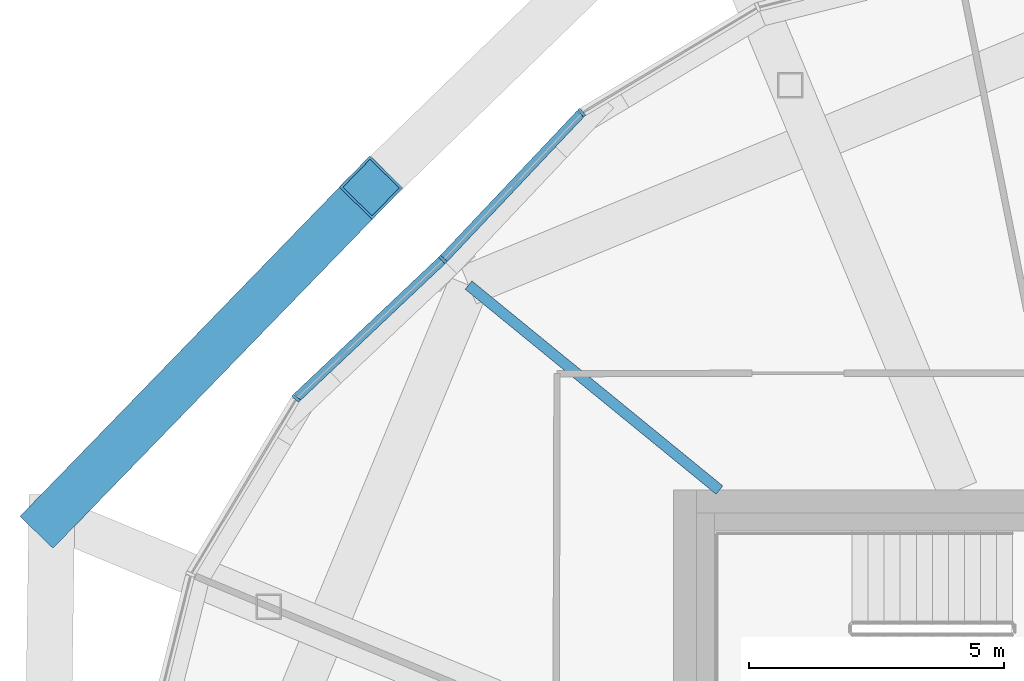
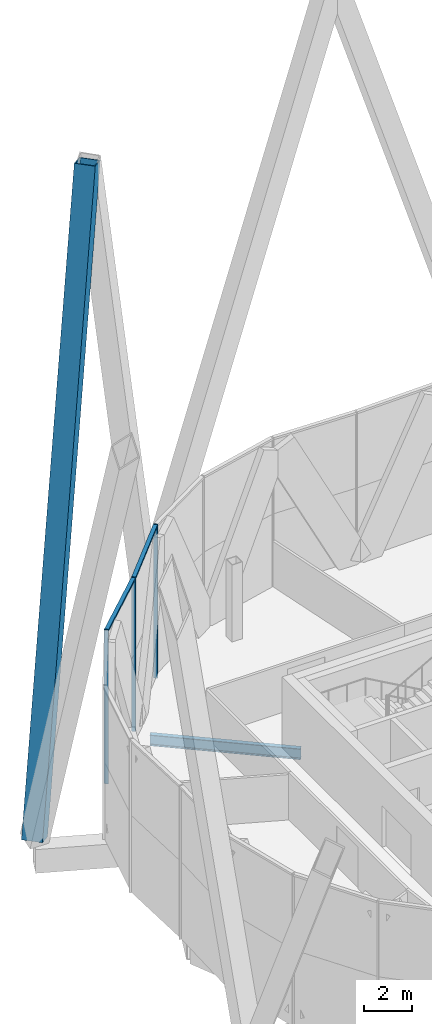
# One storey, part 17 of 53: 6 members, 1 beam, 2 elements without a shape of their own.
"""IFC4 building model written with IfcOpenShell, lengths in metres."""

from ifc_helpers import new_model, si_unit, direction, frame, origin, origin_2d, place, context, subcontext, project, spatial, rectangle, hollow_rectangle, i_section, extrude, material, material_profile, profile_set, type_object, element, aggregate, save


model = new_model("IFC4")

# Units and contexts
model_context = context("Model", 3, precision=1e-05, world=origin(), true_north=direction((0.0, 1.0)))
body_context = subcontext(model_context, "Body", "Model", "MODEL_VIEW")
ifc_project = project(units=[si_unit("LENGTHUNIT", "METRE"), si_unit("AREAUNIT", "SQUARE_METRE"), si_unit("VOLUMEUNIT", "CUBIC_METRE"), si_unit("PLANEANGLEUNIT", "RADIAN"), si_unit("MASSUNIT", "GRAM", prefix="KILO")], contexts=[model_context])

# Site, building, storey
site_placement = place(None, origin())
site = spatial("IfcSite", under=ifc_project, at=site_placement, CompositionType="ELEMENT")
building_placement = place(site_placement, origin())
building = spatial("IfcBuilding", under=site, at=building_placement, Name="Ogive Gate Towers", CompositionType="ELEMENT")
storey_placement = place(building_placement, frame((0.0, 0.0, 240.60009765625)))
storey = spatial("IfcBuildingStorey", under=building, at=storey_placement, Name="L57", CompositionType="ELEMENT", Elevation=240.60009765625)

# Member
ifc_material_1 = material(Name="Steel SM460", Category="steel")
ifc_material_profile_1 = material_profile(ifc_material_1, hollow_rectangle(XDim=0.89990234375, YDim=0.89990234375, WallThickness=0.050048828125, at=origin_2d()), Name="BX 900x900x50")
ifc_profile_set_1 = profile_set([ifc_material_profile_1], Name="Steel SM460")
member_type_1 = type_object("IfcMemberType", Name="Diagrid diagonal BX 900x900x50", PredefinedType="BRACE", material=ifc_profile_set_1)
member_1_placement = place(storey_placement, frame((-57.67431640625, 8.977783203125, 0.0), z_axis=(0.211259451685, 0.217751746913, 0.952866003586), x_axis=(-0.717725362087, 0.696326291775, 0.0)))
element("IfcMember", 1, at=member_1_placement, inside=storey, type_object=member_type_1, Name="T1/L57/SDG007", PredefinedType="BRACE", context=body_context, shape_type="SweptSolid", body=[
    extrude(hollow_rectangle(XDim=0.89990234375, YDim=0.89990234375, WallThickness=0.050048828125, at=origin_2d()), origin(), (0.0, 0.0, 1.0), 29.594970703125),
])

# Beam
ifc_material_2 = material(Name="Steel SM355", Category="steel")
ifc_material_profile_2 = material_profile(ifc_material_2, i_section(OverallWidth=0.2099609375, OverallDepth=0.550048828125, WebThickness=0.010986328125, FlangeThickness=0.01708984375, FilletRadius=0.02392578125, at=origin_2d()), Name="IPE 550")
ifc_profile_set_2 = profile_set([ifc_material_profile_2], Name="Steel SM355")
beam_type = type_object("IfcBeamType", Name="Radial floor beam IPE 550", PredefinedType="BEAM", material=ifc_profile_set_2)
beam_placement = place(storey_placement, frame((-44.60009765625, 9.5, -0.5751953125), z_axis=(-0.774474926523, 0.632604606517, 0.0), x_axis=(-0.632604606517, -0.774474926523, 0.0)))
element("IfcBeam", 2, at=beam_placement, inside=storey, type_object=beam_type, Name="T1/L57/SBM013", PredefinedType="BEAM", context=body_context, shape_type="SweptSolid", body=[
    extrude(i_section(OverallWidth=0.2099609375, OverallDepth=0.550048828125, WebThickness=0.010986328125, FlangeThickness=0.01708984375, FilletRadius=0.02392578125, at=origin_2d()), origin(), (0.0, 0.0, 1.0), 6.343017578125),
])

# Curtain wall, members
ifc_material_3 = material(Name="Pale metal aluminium", Category="aluminium")
curtain_wall_type = type_object("IfcCurtainWallType", Name="Tower unitised wall, high zone", PredefinedType="NOTDEFINED", material=ifc_material_3)
curtain_wall_1_placement = place(storey_placement, origin())
curtain_wall_1 = element("IfcCurtainWall", 3, at=curtain_wall_1_placement, inside=storey, type_object=curtain_wall_type, Name="CW2 T1 ECW05", PredefinedType="NOTDEFINED")
ifc_material_profile_3 = material_profile(ifc_material_3, rectangle(XDim=0.179931640625, YDim=0.06005859375, at=origin_2d()), Name="60 x 180 aluminium box")
ifc_profile_set_3 = profile_set([ifc_material_profile_3], Name="Pale metal aluminium")
member_type_2 = type_object("IfcMemberType", Name="Tower unitised wall, high zone mullion 60 x 180", PredefinedType="MULLION", material=ifc_profile_set_3)
member_2_placement = place(storey_placement, frame((-50.01513671875, 14.0146484375, -0.300048828125), z_axis=(0.0, 0.0, 1.0), x_axis=(0.726850427027, -0.686795789687, 0.0)))
member_2 = element("IfcMember", 4, at=member_2_placement, type_object=member_type_2, Name="CW2 mullion", PredefinedType="MULLION", context=body_context, shape_type="SweptSolid", body=[
    extrude(rectangle(XDim=0.179931640625, YDim=0.06005859375, at=origin_2d()), origin(), (0.0, 0.0, 1.0), 7.800048828125),
])
member_3_placement = place(storey_placement, frame((-47.297607421875, 16.890380859375, -0.300048828125), z_axis=(0.0, 0.0, 1.0), x_axis=(0.626671819046, -0.779283280466, 0.0)))
member_3 = element("IfcMember", 5, at=member_3_placement, type_object=member_type_2, Name="CW2 mullion", PredefinedType="MULLION", context=body_context, shape_type="SweptSolid", body=[
    extrude(rectangle(XDim=0.179931640625, YDim=0.06005859375, at=origin_2d()), origin(), (0.0, 0.0, 1.0), 7.800048828125),
])

# Curtain wall, member
curtain_wall_2_placement = place(storey_placement, origin())
curtain_wall_2 = element("IfcCurtainWall", 6, at=curtain_wall_2_placement, inside=storey, type_object=curtain_wall_type, Name="CW2 T1 ECW06", PredefinedType="NOTDEFINED")
member_4_placement = place(storey_placement, frame((-52.890380859375, 11.297607421875, -0.300048828125), z_axis=(0.0, 0.0, 1.0), x_axis=(0.779283280466, -0.626671819046, 0.0)))
member_4 = element("IfcMember", 7, at=member_4_placement, type_object=member_type_2, Name="CW2 mullion", PredefinedType="MULLION", context=body_context, shape_type="SweptSolid", body=[
    extrude(rectangle(XDim=0.179931640625, YDim=0.06005859375, at=origin_2d()), origin(), (0.0, 0.0, 1.0), 7.800048828125),
])

# Member
ifc_material_profile_4 = material_profile(ifc_material_3, rectangle(XDim=0.179931640625, YDim=0.10009765625, at=origin_2d()), Name="100 x 180 aluminium box")
ifc_profile_set_4 = profile_set([ifc_material_profile_4], Name="Pale metal aluminium")
member_type_3 = type_object("IfcMemberType", Name="Tower unitised wall, high zone transom 100 x 180", PredefinedType="USERDEFINED", material=ifc_profile_set_4)
member_5_placement = place(storey_placement, frame((-49.994384765625, 14.03662109375, 7.449951171875), z_axis=(0.686798350204, 0.726848007603, 0.0), x_axis=(-0.726848007603, 0.686798350204, 0.0)))
member_5 = element("IfcMember", 8, at=member_5_placement, type_object=member_type_3, Name="CW2 transom", ObjectType="TRANSOM", PredefinedType="USERDEFINED", context=body_context, shape_type="SweptSolid", body=[
    extrude(rectangle(XDim=0.179931640625, YDim=0.10009765625, at=origin_2d()), origin(), (0.0, 0.0, 1.0), 3.895263671875),
])

aggregate(curtain_wall_1, [member_2, member_3, member_5])

member_6_placement = place(storey_placement, frame((-52.867919921875, 11.319091796875, 7.449951171875), z_axis=(0.726848007603, 0.686798350204, 0.0), x_axis=(-0.686798350204, 0.726848007603, 0.0)))
member_6 = element("IfcMember", 9, at=member_6_placement, type_object=member_type_3, Name="CW2 transom", ObjectType="TRANSOM", PredefinedType="USERDEFINED", context=body_context, shape_type="SweptSolid", body=[
    extrude(rectangle(XDim=0.179931640625, YDim=0.10009765625, at=origin_2d()), origin(), (0.0, 0.0, 1.0), 3.895263671875),
])

aggregate(curtain_wall_2, [member_4, member_6])

save(model, "model.ifc")
